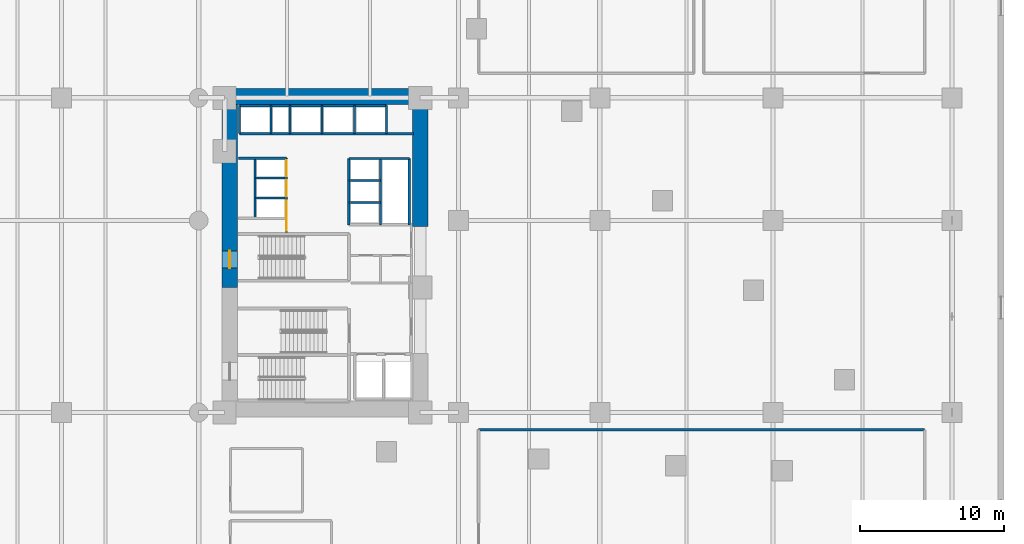
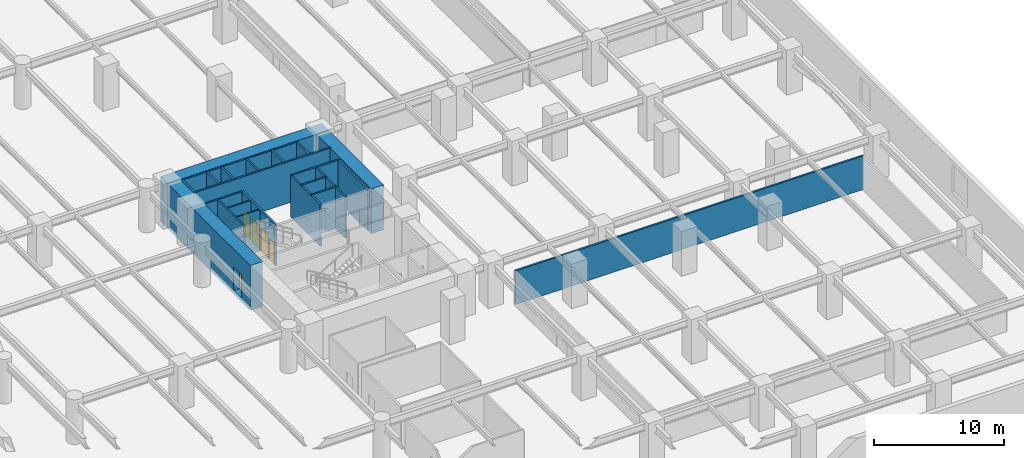
# One storey, part 9 of 25: 24 walls, 5 doors, 5 openings.
"""IFC4 building model written with IfcOpenShell, lengths in metres."""

from ifc_helpers import new_model, si_unit, direction, frame, frame_2d, origin, place, context, subcontext, project, spatial, rectangle, extrude, material, layer, layer_set, type_object, element, fill, save


model = new_model("IFC4")

# Units and contexts
model_context = context("Model", 3, precision=1e-05, world=origin(), true_north=direction((0.0, 1.0)))
body_context = subcontext(model_context, "Body", "Model", "MODEL_VIEW")
ifc_project = project(units=[si_unit("LENGTHUNIT", "METRE"), si_unit("AREAUNIT", "SQUARE_METRE"), si_unit("VOLUMEUNIT", "CUBIC_METRE"), si_unit("PLANEANGLEUNIT", "RADIAN"), si_unit("MASSUNIT", "GRAM", prefix="KILO")], contexts=[model_context])

# Site, building, storey
site_placement = place(None, origin())
site = spatial("IfcSite", under=ifc_project, at=site_placement, CompositionType="ELEMENT")
building_placement = place(site_placement, origin())
building = spatial("IfcBuilding", under=site, at=building_placement, Name="Narakoshi Arena Tower", CompositionType="ELEMENT")
storey_placement = place(building_placement, frame((0.0, 0.0, 9.0)))
storey = spatial("IfcBuildingStorey", under=building, at=storey_placement, Name="L02", CompositionType="ELEMENT", Elevation=9.0)

# Wall, opening, door
ifc_material_1 = material(Name="Concrete C60/75", Category="concrete")
ifc_layer_1 = layer(ifc_material_1, 1.10009765625)
ifc_layer_set_1 = layer_set([ifc_layer_1], Name="Concrete C60/75")
wall_type_1 = type_object("IfcWallType", Name="WL-CORE-1100", PredefinedType="SHEAR", material=ifc_layer_set_1)
wall_1_placement = place(storey_placement, frame((72.35009765625, 43.35009765625, -0.320068359375), z_axis=(0.0, 0.0, 1.0), x_axis=(0.0, 1.0, 0.0)))
wall_1 = element("IfcWall", 1, at=wall_1_placement, inside=storey, type_object=wall_type_1, Name="L02 Main Core Shear Wall CW-MN-W", PredefinedType="SHEAR", context=body_context, shape_type="SweptSolid", body=[
    extrude(rectangle(XDim=12.699951171875, YDim=1.10009765625, at=frame_2d((6.35009765625, 0.0))), origin(), (0.0, 0.0, 1.0), 4.199951171875),
])
opening_1_placement = place(wall_1_placement, frame((1.35009765625, 0.0, 0.320068359375)))
opening_1 = element("IfcOpeningElement", 2, at=opening_1_placement, cuts=wall_1, Name="Opening D-03", PredefinedType="OPENING", context=body_context, shape_type="SweptSolid", body=[
    extrude(rectangle(XDim=1.199951171875, YDim=2.199951171875, at=frame_2d((0.60009765625, 1.10009765625))), frame((0.0, 0.56005859375, 0.0), z_axis=(0.0, -1.0, 0.0), x_axis=(1.0, 0.0, 0.0)), (0.0, 0.0, 1.0), 1.1201171875),
])
ifc_material_2 = material(Name="Painted galvanized steel", Category="steel")
door_type_1 = type_object("IfcDoorType", Name="DR-STR-1200", OperationType="NOTDEFINED", PredefinedType="USERDEFINED", material=ifc_material_2)
door_1_placement = place(opening_1_placement, frame((1.199951171875, 0.0, 0.0), z_axis=(0.0, 0.0, 1.0), x_axis=(-1.0, 0.0, 0.0)))
door_1 = element("IfcDoor", 3, at=door_1_placement, inside=storey, type_object=door_type_1, Name="DR-L02-006", ObjectType="EXITDOOR", OperationType="SINGLE_SWING_LEFT", OverallHeight=2.199951171875, OverallWidth=1.199951171875, PredefinedType="USERDEFINED", context=body_context, shape_type="SweptSolid", body=[
    extrude(rectangle(XDim=1.199951171875, YDim=2.199951171875, at=frame_2d((0.60009765625, 1.10009765625))), frame((0.0, 0.02490234375, 0.0), z_axis=(0.0, -1.0, 0.0), x_axis=(1.0, 0.0, 0.0)), (0.0, 0.0, 1.0), 0.050048828125),
])
fill(opening_1, door_1)

# Walls
wall_2_placement = place(storey_placement, frame((71.800048828125, 56.60009765625, -0.320068359375), z_axis=(0.0, 0.0, 1.0), x_axis=(1.0, 0.0, 0.0)))
element("IfcWall", 4, at=wall_2_placement, inside=storey, type_object=wall_type_1, Name="L02 Main Core Shear Wall CW-MN-N", PredefinedType="SHEAR", context=body_context, shape_type="SweptSolid", body=[
    extrude(rectangle(XDim=14.300048828125, YDim=1.10009765625, at=frame_2d((7.14990234375, 0.0))), origin(), (0.0, 0.0, 1.0), 4.199951171875),
])
wall_3_placement = place(storey_placement, frame((85.550048828125, 47.60009765625, -0.320068359375), z_axis=(0.0, 0.0, 1.0), x_axis=(0.0, 1.0, 0.0)))
element("IfcWall", 5, at=wall_3_placement, inside=storey, type_object=wall_type_1, Name="L02 Main Core Shear Wall CW-MN-E", PredefinedType="SHEAR", context=body_context, shape_type="SweptSolid", body=[
    extrude(rectangle(XDim=8.449951171875, YDim=1.10009765625, at=frame_2d((4.22509765625, 0.0))), origin(), (0.0, 0.0, 1.0), 4.199951171875),
])
ifc_material_3 = material(Name="Gypsum plasterboard fire-rated partition")
ifc_layer_2 = layer(ifc_material_3, 0.1650390625)
ifc_layer_set_2 = layer_set([ifc_layer_2], Name="Gypsum plasterboard fire-rated partition")
wall_type_2 = type_object("IfcWallType", Name="WL-CORR-165", PredefinedType="PARTITIONING", material=ifc_layer_set_2)
wall_4_placement = place(storey_placement, frame((120.5, 33.5, 0.0), z_axis=(0.0, 0.0, 1.0), x_axis=(-1.0, 0.0, 0.0)))
element("IfcWall", 6, at=wall_4_placement, inside=storey, type_object=wall_type_2, Name="L02 Sponsors Banquet Dining Hall Wall N", PredefinedType="PARTITIONING", context=body_context, shape_type="SweptSolid", body=[
    extrude(rectangle(XDim=30.89990234375, YDim=0.1650390625, at=frame_2d((15.449951171875, 0.0))), origin(), (0.0, 0.0, 1.0), 3.1650390625),
])
ifc_material_4 = material(Name="Concrete C40/50", Category="concrete")
ifc_layer_3 = layer(ifc_material_4, 0.280029296875)
ifc_layer_set_3 = layer_set([ifc_layer_3], Name="Concrete C40/50")
wall_type_3 = type_object("IfcWallType", Name="WL-RISER-280", PredefinedType="PLUMBINGWALL", material=ifc_layer_set_3)
for number, where, z_axis, x_axis, name in (
    (7, (74.14990234375, 49.550048828125, 0.0), (0.0, 0.0, 1.0), (1.0, 0.0, 0.0), "L02 Core Wall LR-D1"),
    (8, (74.14990234375, 50.949951171875, 0.0), (0.0, 0.0, 1.0), (1.0, 0.0, 0.0), "L02 Core Wall LR-D2"),
):
    element("IfcWall", number, at=place(storey_placement, frame(where, z_axis=z_axis, x_axis=x_axis)), inside=storey, type_object=wall_type_3, Name=name, PredefinedType="PLUMBINGWALL", context=body_context, shape_type="SweptSolid", body=[
        extrude(rectangle(XDim=2.0400390625, YDim=0.139892578125, at=frame_2d((1.02001953125, 0.0))), origin(), (0.0, 0.0, 1.0), 3.8798828125),
    ])
wall_5_placement = place(storey_placement, frame((74.10009765625, 48.159912109375, 0.0), z_axis=(0.0, 0.0, 1.0), x_axis=(0.0, 1.0, 0.0)))
element("IfcWall", 9, at=wall_5_placement, inside=storey, type_object=wall_type_3, Name="L02 Core Wall LR-W", PredefinedType="PLUMBINGWALL", context=body_context, shape_type="SweptSolid", body=[
    extrude(rectangle(XDim=4.16015625, YDim=0.139892578125, at=frame_2d((2.080078125, 0.0))), origin(), (0.0, 0.0, 1.0), 3.8798828125),
])
for number, where, z_axis, x_axis, name in (
    (10, (80.60009765625, 49.260009765625, 0.0), (0.0, 0.0, 1.0), (1.0, 0.0, 0.0), "L02 Core Wall MR-D1"),
    (11, (80.60009765625, 50.780029296875, 0.0), (0.0, 0.0, 1.0), (1.0, 0.0, 0.0), "L02 Core Wall MR-D2"),
):
    element("IfcWall", number, at=place(storey_placement, frame(where, z_axis=z_axis, x_axis=x_axis)), inside=storey, type_object=wall_type_3, Name=name, PredefinedType="PLUMBINGWALL", context=body_context, shape_type="SweptSolid", body=[
        extrude(rectangle(XDim=2.199951171875, YDim=0.14990234375, at=frame_2d((1.10009765625, 0.0))), origin(), (0.0, 0.0, 1.0), 3.8798828125),
    ])
wall_6_placement = place(storey_placement, frame((82.800048828125, 47.699951171875, 0.0), z_axis=(0.0, 0.0, 1.0), x_axis=(0.0, 1.0, 0.0)))
element("IfcWall", 12, at=wall_6_placement, inside=storey, type_object=wall_type_3, Name="L02 Core Wall MR-E", PredefinedType="PLUMBINGWALL", context=body_context, shape_type="SweptSolid", body=[
    extrude(rectangle(XDim=4.60009765625, YDim=0.14990234375, at=frame_2d((2.300048828125, 0.0))), origin(), (0.0, 0.0, 1.0), 3.8798828125),
])
for number, where, z_axis, x_axis, name in (
    (13, (73.02001953125, 54.02001953125, 0.0), (0.0, 0.0, 1.0), (0.0, 1.0, 0.0), "L02 Core Wall OBS-W"),
    (14, (75.219970703125, 54.02001953125, 0.0), (0.0, 0.0, 1.0), (0.0, 1.0, 0.0), "L02 Core Wall OBS-M"),
):
    element("IfcWall", number, at=place(storey_placement, frame(where, z_axis=z_axis, x_axis=x_axis)), inside=storey, type_object=wall_type_3, Name=name, PredefinedType="PLUMBINGWALL", context=body_context, shape_type="SweptSolid", body=[
        extrude(rectangle(XDim=1.93994140625, YDim=0.14990234375, at=frame_2d((0.969970703125, 0.0))), origin(), (0.0, 0.0, 1.0), 3.8798828125),
    ])
for number, where, z_axis, x_axis, name in (
    (15, (78.75, 54.02001953125, 0.0), (0.0, 0.0, 1.0), (0.0, 1.0, 0.0), "L02 Core Wall HR-D1"),
    (16, (81.0, 54.02001953125, 0.0), (0.0, 0.0, 1.0), (0.0, 1.0, 0.0), "L02 Core Wall HR-D2"),
):
    element("IfcWall", number, at=place(storey_placement, frame(where, z_axis=z_axis, x_axis=x_axis)), inside=storey, type_object=wall_type_3, Name=name, PredefinedType="PLUMBINGWALL", context=body_context, shape_type="SweptSolid", body=[
        extrude(rectangle(XDim=1.9599609375, YDim=0.14990234375, at=frame_2d((0.97998046875, 0.0))), origin(), (0.0, 0.0, 1.0), 3.8798828125),
    ])

# Wall, openings, doors
ifc_material_5 = material(Name="Concrete C50/60", Category="concrete")
ifc_layer_4 = layer(ifc_material_5, 0.35009765625)
ifc_layer_set_4 = layer_set([ifc_layer_4], Name="Concrete C50/60")
wall_type_4 = type_object("IfcWallType", Name="WL-SHAFT-350", PredefinedType="SOLIDWALL", material=ifc_layer_set_4)
wall_7_placement = place(storey_placement, frame((76.280029296875, 47.179931640625, 0.0), z_axis=(0.0, 0.0, 1.0), x_axis=(0.0, 1.0, 0.0)))
wall_7 = element("IfcWall", 17, at=wall_7_placement, inside=storey, type_object=wall_type_4, Name="L02 Core Wall LR-E", PredefinedType="SOLIDWALL", context=body_context, shape_type="SweptSolid", body=[
    extrude(rectangle(XDim=5.14013671875, YDim=0.159912109375, at=frame_2d((2.570068359375, 0.0))), origin(), (0.0, 0.0, 1.0), 3.8798828125),
])
opening_2_placement = place(wall_7_placement, frame((1.10009765625, 0.0, 0.0)))
opening_2 = element("IfcOpeningElement", 18, at=opening_2_placement, cuts=wall_7, Name="Opening LD-01", PredefinedType="OPENING", context=body_context, shape_type="SweptSolid", body=[
    extrude(rectangle(XDim=1.10009765625, YDim=2.25, at=frame_2d((0.550048828125, 1.125))), frame((0.0, 0.08984375, 0.0), z_axis=(0.0, -1.0, 0.0), x_axis=(1.0, 0.0, 0.0)), (0.0, 0.0, 1.0), 0.179931640625),
])
opening_3_placement = place(wall_7_placement, frame((2.5, 0.0, 0.0)))
opening_3 = element("IfcOpeningElement", 19, at=opening_3_placement, cuts=wall_7, Name="Opening LD-01", PredefinedType="OPENING", context=body_context, shape_type="SweptSolid", body=[
    extrude(rectangle(XDim=1.10009765625, YDim=2.25, at=frame_2d((0.550048828125, 1.125))), frame((0.0, 0.08984375, 0.0), z_axis=(0.0, -1.0, 0.0), x_axis=(1.0, 0.0, 0.0)), (0.0, 0.0, 1.0), 0.179931640625),
])
opening_4_placement = place(wall_7_placement, frame((3.89990234375, 0.0, 0.0)))
opening_4 = element("IfcOpeningElement", 20, at=opening_4_placement, cuts=wall_7, Name="Opening LD-01", PredefinedType="OPENING", context=body_context, shape_type="SweptSolid", body=[
    extrude(rectangle(XDim=1.10009765625, YDim=2.25, at=frame_2d((0.550048828125, 1.125))), frame((0.0, 0.08984375, 0.0), z_axis=(0.0, -1.0, 0.0), x_axis=(1.0, 0.0, 0.0)), (0.0, 0.0, 1.0), 0.179931640625),
])
opening_5_placement = place(wall_7_placement, frame((0.1201171875, 0.0, 0.0)))
opening_5 = element("IfcOpeningElement", 21, at=opening_5_placement, cuts=wall_7, Name="Opening D-10", PredefinedType="OPENING", context=body_context, shape_type="SweptSolid", body=[
    extrude(rectangle(XDim=0.85009765625, YDim=2.050048828125, at=frame_2d((0.425048828125, 1.02490234375))), frame((0.0, 0.08984375, 0.0), z_axis=(0.0, -1.0, 0.0), x_axis=(1.0, 0.0, 0.0)), (0.0, 0.0, 1.0), 0.179931640625),
])
ifc_material_6 = material(Name="Brushed bronze stainless steel", Category="steel")
door_type_2 = type_object("IfcDoorType", Name="DR-LFT-1100", OperationType="DOUBLE_DOOR_SLIDING", PredefinedType="DOOR", material=ifc_material_6)
door_2_placement = place(opening_2_placement, origin())
door_2 = element("IfcDoor", 22, at=door_2_placement, inside=storey, type_object=door_type_2, Name="DR-L02-010", OperationType="DOUBLE_DOOR_SLIDING", OverallHeight=2.25, OverallWidth=1.10009765625, PredefinedType="DOOR", context=body_context, shape_type="SweptSolid", body=[
    extrude(rectangle(XDim=1.10009765625, YDim=2.25, at=frame_2d((0.550048828125, 1.125))), frame((0.0, 0.02490234375, 0.0), z_axis=(0.0, -1.0, 0.0), x_axis=(1.0, 0.0, 0.0)), (0.0, 0.0, 1.0), 0.050048828125),
])
fill(opening_2, door_2)
door_3_placement = place(opening_3_placement, origin())
door_3 = element("IfcDoor", 23, at=door_3_placement, inside=storey, type_object=door_type_2, Name="DR-L02-011", OperationType="DOUBLE_DOOR_SLIDING", OverallHeight=2.25, OverallWidth=1.10009765625, PredefinedType="DOOR", context=body_context, shape_type="SweptSolid", body=[
    extrude(rectangle(XDim=1.10009765625, YDim=2.25, at=frame_2d((0.550048828125, 1.125))), frame((0.0, 0.02490234375, 0.0), z_axis=(0.0, -1.0, 0.0), x_axis=(1.0, 0.0, 0.0)), (0.0, 0.0, 1.0), 0.050048828125),
])
fill(opening_3, door_3)
door_4_placement = place(opening_4_placement, origin())
door_4 = element("IfcDoor", 24, at=door_4_placement, inside=storey, type_object=door_type_2, Name="DR-L02-012", OperationType="DOUBLE_DOOR_SLIDING", OverallHeight=2.25, OverallWidth=1.10009765625, PredefinedType="DOOR", context=body_context, shape_type="SweptSolid", body=[
    extrude(rectangle(XDim=1.10009765625, YDim=2.25, at=frame_2d((0.550048828125, 1.125))), frame((0.0, 0.02490234375, 0.0), z_axis=(0.0, -1.0, 0.0), x_axis=(1.0, 0.0, 0.0)), (0.0, 0.0, 1.0), 0.050048828125),
])
fill(opening_4, door_4)
door_type_3 = type_object("IfcDoorType", Name="DR-RSR-850", OperationType="NOTDEFINED", PredefinedType="DOOR", material=ifc_material_2)
door_5_placement = place(opening_5_placement, frame((0.85009765625, 0.0, 0.0), z_axis=(0.0, 0.0, 1.0), x_axis=(-1.0, 0.0, 0.0)))
door_5 = element("IfcDoor", 25, at=door_5_placement, inside=storey, type_object=door_type_3, Name="DR-L02-013", OperationType="SINGLE_SWING_LEFT", OverallHeight=2.050048828125, OverallWidth=0.85009765625, PredefinedType="DOOR", context=body_context, shape_type="SweptSolid", body=[
    extrude(rectangle(XDim=0.85009765625, YDim=2.050048828125, at=frame_2d((0.425048828125, 1.02490234375))), frame((0.0, 0.02490234375, 0.0), z_axis=(0.0, -1.0, 0.0), x_axis=(1.0, 0.0, 0.0)), (0.0, 0.0, 1.0), 0.050048828125),
])
fill(opening_5, door_5)

# Walls
wall_8_placement = place(storey_placement, frame((72.949951171875, 52.320068359375, 0.0), z_axis=(0.0, 0.0, 1.0), x_axis=(1.0, 0.0, 0.0)))
element("IfcWall", 26, at=wall_8_placement, inside=storey, type_object=wall_type_4, Name="L02 Core Wall LR-N", PredefinedType="SOLIDWALL", context=body_context, shape_type="SweptSolid", body=[
    extrude(rectangle(XDim=3.330078125, YDim=0.14990234375, at=frame_2d((1.6650390625, 0.0))), origin(), (0.0, 0.0, 1.0), 3.8798828125),
])
wall_9_placement = place(storey_placement, frame((80.60009765625, 47.699951171875, 0.0), z_axis=(0.0, 0.0, 1.0), x_axis=(0.0, 1.0, 0.0)))
element("IfcWall", 27, at=wall_9_placement, inside=storey, type_object=wall_type_4, Name="L02 Core Wall MR-W", PredefinedType="SOLIDWALL", context=body_context, shape_type="SweptSolid", body=[
    extrude(rectangle(XDim=4.60009765625, YDim=0.159912109375, at=frame_2d((2.300048828125, 0.0))), origin(), (0.0, 0.0, 1.0), 3.8798828125),
])
wall_10_placement = place(storey_placement, frame((80.60009765625, 52.300048828125, 0.0), z_axis=(0.0, 0.0, 1.0), x_axis=(1.0, 0.0, 0.0)))
element("IfcWall", 28, at=wall_10_placement, inside=storey, type_object=wall_type_4, Name="L02 Core Wall MR-N", PredefinedType="SOLIDWALL", context=body_context, shape_type="SweptSolid", body=[
    extrude(rectangle(XDim=4.219970703125, YDim=0.159912109375, at=frame_2d((2.10986328125, 0.0))), origin(), (0.0, 0.0, 1.0), 3.8798828125),
])
wall_11_placement = place(storey_placement, frame((84.780029296875, 47.699951171875, 0.0), z_axis=(0.0, 0.0, 1.0), x_axis=(0.0, 1.0, 0.0)))
element("IfcWall", 29, at=wall_11_placement, inside=storey, type_object=wall_type_4, Name="L02 Core Wall MR-E2", PredefinedType="SOLIDWALL", context=body_context, shape_type="SweptSolid", body=[
    extrude(rectangle(XDim=4.60009765625, YDim=0.159912109375, at=frame_2d((2.300048828125, 0.0))), origin(), (0.0, 0.0, 1.0), 3.8798828125),
])
wall_12_placement = place(storey_placement, frame((73.02001953125, 54.02001953125, 0.0), z_axis=(0.0, 0.0, 1.0), x_axis=(1.0, 0.0, 0.0)))
element("IfcWall", 30, at=wall_12_placement, inside=storey, type_object=wall_type_4, Name="L02 Core Wall NSHF-S", PredefinedType="SOLIDWALL", context=body_context, shape_type="SweptSolid", body=[
    extrude(rectangle(XDim=12.080078125, YDim=0.159912109375, at=frame_2d((6.0400390625, 0.0))), origin(), (0.0, 0.0, 1.0), 3.8798828125),
])
wall_13_placement = place(storey_placement, frame((73.02001953125, 55.9599609375, 0.0), z_axis=(0.0, 0.0, 1.0), x_axis=(1.0, 0.0, 0.0)))
element("IfcWall", 31, at=wall_13_placement, inside=storey, type_object=wall_type_4, Name="L02 Core Wall OBS-N", PredefinedType="SOLIDWALL", context=body_context, shape_type="SweptSolid", body=[
    extrude(rectangle(XDim=3.5, YDim=0.14990234375, at=frame_2d((1.75, 0.0))), origin(), (0.0, 0.0, 1.0), 3.8798828125),
])
wall_14_placement = place(storey_placement, frame((76.52001953125, 54.02001953125, 0.0), z_axis=(0.0, 0.0, 1.0), x_axis=(0.0, 1.0, 0.0)))
element("IfcWall", 32, at=wall_14_placement, inside=storey, type_object=wall_type_4, Name="L02 Core Wall OBS-E", PredefinedType="SOLIDWALL", context=body_context, shape_type="SweptSolid", body=[
    extrude(rectangle(XDim=1.93994140625, YDim=0.14990234375, at=frame_2d((0.969970703125, 0.0))), origin(), (0.0, 0.0, 1.0), 3.8798828125),
])
wall_15_placement = place(storey_placement, frame((83.219970703125, 54.02001953125, 0.0), z_axis=(0.0, 0.0, 1.0), x_axis=(0.0, 1.0, 0.0)))
element("IfcWall", 33, at=wall_15_placement, inside=storey, type_object=wall_type_4, Name="L02 Core Wall HR-E", PredefinedType="SOLIDWALL", context=body_context, shape_type="SweptSolid", body=[
    extrude(rectangle(XDim=1.9599609375, YDim=0.14990234375, at=frame_2d((0.97998046875, 0.0))), origin(), (0.0, 0.0, 1.0), 3.8798828125),
])
wall_16_placement = place(storey_placement, frame((76.52001953125, 55.9599609375, 0.0), z_axis=(0.0, 0.0, 1.0), x_axis=(1.0, 0.0, 0.0)))
element("IfcWall", 34, at=wall_16_placement, inside=storey, type_object=wall_type_4, Name="L02 Core Wall HR-N", PredefinedType="SOLIDWALL", context=body_context, shape_type="SweptSolid", body=[
    extrude(rectangle(XDim=6.699951171875, YDim=0.14990234375, at=frame_2d((3.35009765625, 0.0))), origin(), (0.0, 0.0, 1.0), 3.8798828125),
])

save(model, "model.ifc")
